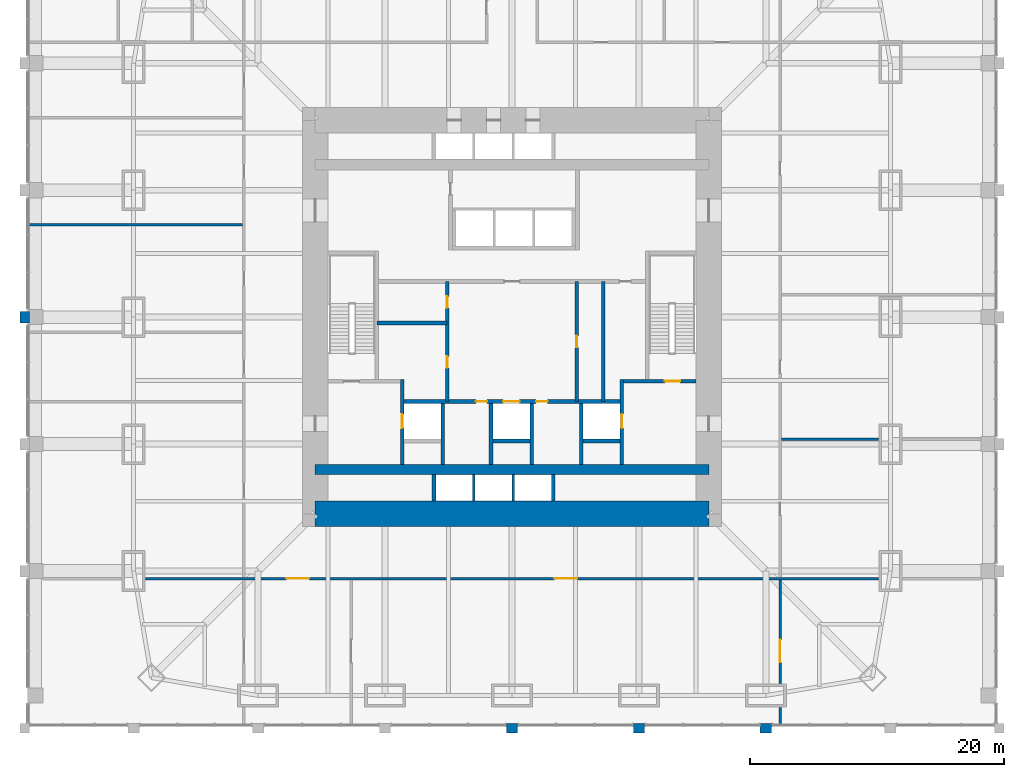
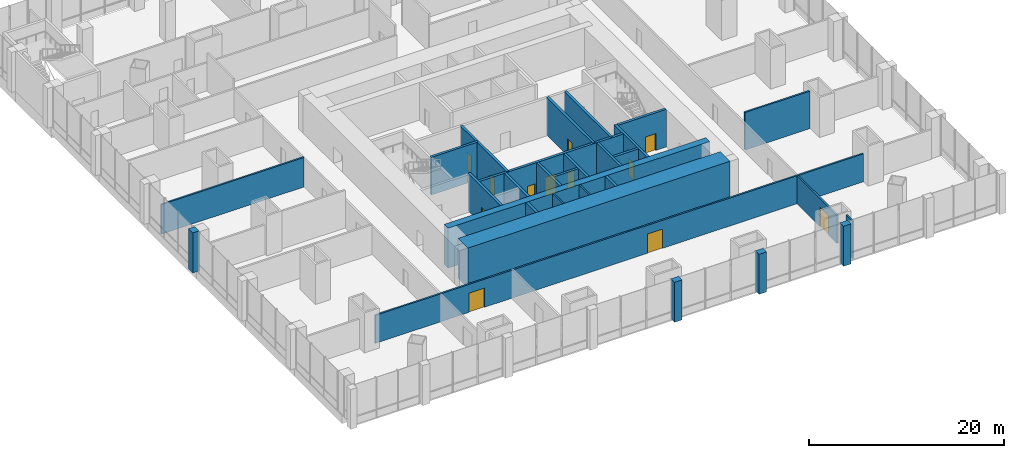
# One storey, part 17 of 24: 29 walls, 12 doors, 12 openings.
"""IFC4 building model written with IfcOpenShell, lengths in metres."""

from ifc_helpers import new_model, si_unit, direction, frame, frame_2d, origin, place, context, subcontext, project, spatial, rectangle, extrude, material, layer, layer_set, type_object, element, fill, save


model = new_model("IFC4")

# Units and contexts
model_context = context("Model", 3, precision=1e-05, world=origin(), true_north=direction((0.0, 1.0)))
body_context = subcontext(model_context, "Body", "Model", "MODEL_VIEW")
ifc_project = project(units=[si_unit("LENGTHUNIT", "METRE"), si_unit("AREAUNIT", "SQUARE_METRE"), si_unit("VOLUMEUNIT", "CUBIC_METRE"), si_unit("PLANEANGLEUNIT", "RADIAN"), si_unit("MASSUNIT", "GRAM", prefix="KILO")], contexts=[model_context])

# Site, building, storey
site_placement = place(None, origin())
site = spatial("IfcSite", under=ifc_project, at=site_placement, CompositionType="ELEMENT")
building_placement = place(site_placement, origin())
building = spatial("IfcBuilding", under=site, at=building_placement, Name="Khuree Lantern Residences", CompositionType="ELEMENT")
storey_placement = place(building_placement, frame((0.0, 0.0, 11.0)))
storey = spatial("IfcBuildingStorey", under=building, at=storey_placement, Name="L02", CompositionType="ELEMENT", Elevation=11.0)

# Wall, opening, door
ifc_material_1 = material(Name="Dense concrete blockwork", Category="masonry")
ifc_layer_1 = layer(ifc_material_1, 0.300048828125)
ifc_layer_set_1 = layer_set([ifc_layer_1], Name="CORE PARTITION WALL CPW300 EI 120")
wall_type_1 = type_object("IfcWallType", Name="CORE PARTITION WALL CPW300 EI 120", PredefinedType="PARTITIONING", material=ifc_layer_set_1)
wall_1_placement = place(storey_placement, frame((-8.64990234375, -11.60009765625, 0.0), z_axis=(0.0, 0.0, 1.0), x_axis=(0.0, 1.0, 0.0)))
wall_1 = element("IfcWall", 1, at=wall_1_placement, inside=storey, type_object=wall_type_1, Name="L02 CORE WALL FL1W", PredefinedType="PARTITIONING", context=body_context, shape_type="SweptSolid", body=[
    extrude(rectangle(XDim=6.7001953125, YDim=0.300048828125, at=frame_2d((3.35009765625, 0.0))), origin(), (0.0, 0.0, 1.0), 4.699951171875),
])
opening_1_placement = place(wall_1_placement, frame((2.85009765625, 0.0, 0.0)))
opening_1 = element("IfcOpeningElement", 2, at=opening_1_placement, cuts=wall_1, Name="Opening 02-007", PredefinedType="OPENING", context=body_context, shape_type="SweptSolid", body=[
    extrude(rectangle(XDim=1.10009765625, YDim=2.10009765625, at=frame_2d((0.550048828125, 1.050048828125))), frame((0.0, 0.16015625, 0.0), z_axis=(0.0, -1.0, 0.0), x_axis=(1.0, 0.0, 0.0)), (0.0, 0.0, 1.0), 0.320068359375),
])
ifc_material_2 = material(Name="Stainless steel lift landing door", Category="steel")
door_type_1 = type_object("IfcDoorType", Name="LIFT LANDING DOOR 1100X2100 E 120", OperationType="DOUBLE_DOOR_SLIDING", PredefinedType="DOOR", material=ifc_material_2)
door_1_placement = place(opening_1_placement, origin())
door_1 = element("IfcDoor", 3, at=door_1_placement, inside=storey, type_object=door_type_1, Name="Landing door FL1 02-007", OperationType="DOUBLE_DOOR_SLIDING", OverallHeight=2.10009765625, OverallWidth=1.10009765625, PredefinedType="DOOR", context=body_context, shape_type="SweptSolid", body=[
    extrude(rectangle(XDim=1.10009765625, YDim=2.10009765625, at=frame_2d((0.550048828125, 1.050048828125))), frame((0.0, 0.02490234375, 0.0), z_axis=(0.0, -1.0, 0.0), x_axis=(1.0, 0.0, 0.0)), (0.0, 0.0, 1.0), 0.050048828125),
])
fill(opening_1, door_1)

wall_2_placement = place(storey_placement, frame((8.64990234375, -11.60009765625, 0.0), z_axis=(0.0, 0.0, 1.0), x_axis=(0.0, 1.0, 0.0)))
wall_2 = element("IfcWall", 4, at=wall_2_placement, inside=storey, type_object=wall_type_1, Name="L02 CORE WALL FL2E", PredefinedType="PARTITIONING", context=body_context, shape_type="SweptSolid", body=[
    extrude(rectangle(XDim=6.7001953125, YDim=0.300048828125, at=frame_2d((3.35009765625, 0.0))), origin(), (0.0, 0.0, 1.0), 4.699951171875),
])
opening_2_placement = place(wall_2_placement, frame((2.85009765625, 0.0, 0.0)))
opening_2 = element("IfcOpeningElement", 5, at=opening_2_placement, cuts=wall_2, Name="Opening 02-008", PredefinedType="OPENING", context=body_context, shape_type="SweptSolid", body=[
    extrude(rectangle(XDim=1.10009765625, YDim=2.10009765625, at=frame_2d((0.550048828125, 1.050048828125))), frame((0.0, 0.16015625, 0.0), z_axis=(0.0, -1.0, 0.0), x_axis=(1.0, 0.0, 0.0)), (0.0, 0.0, 1.0), 0.320068359375),
])
door_2_placement = place(opening_2_placement, origin())
door_2 = element("IfcDoor", 6, at=door_2_placement, inside=storey, type_object=door_type_1, Name="Landing door FL2 02-008", OperationType="DOUBLE_DOOR_SLIDING", OverallHeight=2.10009765625, OverallWidth=1.10009765625, PredefinedType="DOOR", context=body_context, shape_type="SweptSolid", body=[
    extrude(rectangle(XDim=1.10009765625, YDim=2.10009765625, at=frame_2d((0.550048828125, 1.050048828125))), frame((0.0, 0.02490234375, 0.0), z_axis=(0.0, -1.0, 0.0), x_axis=(1.0, 0.0, 0.0)), (0.0, 0.0, 1.0), 0.050048828125),
])
fill(opening_2, door_2)

# Wall, openings, doors
wall_3_placement = place(storey_placement, frame((-8.5, -6.64990234375, 0.0), z_axis=(0.0, 0.0, 1.0), x_axis=(1.0, 0.0, 0.0)))
wall_3 = element("IfcWall", 7, at=wall_3_placement, inside=storey, type_object=wall_type_1, Name="L02 CORE WALL FLROW", PredefinedType="PARTITIONING", context=body_context, shape_type="SweptSolid", body=[
    extrude(rectangle(XDim=17.0, YDim=0.300048828125, at=frame_2d((8.5, 0.0))), origin(), (0.0, 0.0, 1.0), 4.699951171875),
])
opening_3_placement = place(wall_3_placement, frame((7.800048828125, 0.0, 0.0)))
opening_3 = element("IfcOpeningElement", 8, at=opening_3_placement, cuts=wall_3, Name="Opening 02-012", PredefinedType="OPENING", context=body_context, shape_type="SweptSolid", body=[
    extrude(rectangle(XDim=1.300048828125, YDim=2.39990234375, at=frame_2d((0.64990234375, 1.199951171875))), frame((0.0, 0.16015625, 0.0), z_axis=(0.0, -1.0, 0.0), x_axis=(1.0, 0.0, 0.0)), (0.0, 0.0, 1.0), 0.320068359375),
])
opening_4_placement = place(wall_3_placement, frame((5.64990234375, 0.0, 0.0)))
opening_4 = element("IfcOpeningElement", 9, at=opening_4_placement, cuts=wall_3, Name="Opening 02-014", PredefinedType="OPENING", context=body_context, shape_type="SweptSolid", body=[
    extrude(rectangle(XDim=0.89990234375, YDim=2.10009765625, at=frame_2d((0.449951171875, 1.050048828125))), frame((0.0, 0.16015625, 0.0), z_axis=(0.0, -1.0, 0.0), x_axis=(1.0, 0.0, 0.0)), (0.0, 0.0, 1.0), 0.320068359375),
])
opening_5_placement = place(wall_3_placement, frame((10.39990234375, 0.0, 0.0)))
opening_5 = element("IfcOpeningElement", 10, at=opening_5_placement, cuts=wall_3, Name="Opening 02-015", PredefinedType="OPENING", context=body_context, shape_type="SweptSolid", body=[
    extrude(rectangle(XDim=0.89990234375, YDim=2.10009765625, at=frame_2d((0.449951171875, 1.050048828125))), frame((0.0, 0.16015625, 0.0), z_axis=(0.0, -1.0, 0.0), x_axis=(1.0, 0.0, 0.0)), (0.0, 0.0, 1.0), 0.320068359375),
])
ifc_material_3 = material(Name="Steel door leaf in steel frame", Category="steel")
door_type_2 = type_object("IfcDoorType", Name="DOOR 900X2100 EI 60", OperationType="SINGLE_SWING_LEFT", PredefinedType="DOOR", material=ifc_material_3)
door_3_placement = place(opening_4_placement, origin())
door_3 = element("IfcDoor", 11, at=door_3_placement, inside=storey, type_object=door_type_2, Name="Electrical riser door 02-014", OperationType="SINGLE_SWING_LEFT", OverallHeight=2.10009765625, OverallWidth=0.89990234375, PredefinedType="DOOR", context=body_context, shape_type="SweptSolid", body=[
    extrude(rectangle(XDim=0.89990234375, YDim=2.10009765625, at=frame_2d((0.449951171875, 1.050048828125))), frame((0.0, 0.02490234375, 0.0), z_axis=(0.0, -1.0, 0.0), x_axis=(1.0, 0.0, 0.0)), (0.0, 0.0, 1.0), 0.050048828125),
])
fill(opening_4, door_3)
door_type_3 = type_object("IfcDoorType", Name="DOOR 900X2100 EI 60 RIGHT HAND", OperationType="SINGLE_SWING_RIGHT", PredefinedType="DOOR", material=ifc_material_3)
door_4_placement = place(opening_5_placement, origin())
door_4 = element("IfcDoor", 12, at=door_4_placement, inside=storey, type_object=door_type_3, Name="Plumbing riser door 02-015", OperationType="SINGLE_SWING_RIGHT", OverallHeight=2.10009765625, OverallWidth=0.89990234375, PredefinedType="DOOR", context=body_context, shape_type="SweptSolid", body=[
    extrude(rectangle(XDim=0.89990234375, YDim=2.10009765625, at=frame_2d((0.449951171875, 1.050048828125))), frame((0.0, 0.02490234375, 0.0), z_axis=(0.0, -1.0, 0.0), x_axis=(1.0, 0.0, 0.0)), (0.0, 0.0, 1.0), 0.050048828125),
])
fill(opening_5, door_4)
door_type_4 = type_object("IfcDoorType", Name="LIFT LANDING DOOR 1300X2400 E 60", OperationType="DOUBLE_DOOR_SLIDING", PredefinedType="DOOR", material=ifc_material_2)
door_5_placement = place(opening_3_placement, origin())
door_5 = element("IfcDoor", 13, at=door_5_placement, inside=storey, type_object=door_type_4, Name="Landing door SL1 02-012", OperationType="DOUBLE_DOOR_SLIDING", OverallHeight=2.39990234375, OverallWidth=1.300048828125, PredefinedType="DOOR", context=body_context, shape_type="SweptSolid", body=[
    extrude(rectangle(XDim=1.300048828125, YDim=2.39990234375, at=frame_2d((0.64990234375, 1.199951171875))), frame((0.0, 0.02490234375, 0.0), z_axis=(0.0, -1.0, 0.0), x_axis=(1.0, 0.0, 0.0)), (0.0, 0.0, 1.0), 0.050048828125),
])
fill(opening_3, door_5)

# Walls
for number, where, z_axis, x_axis, name in (
    (14, (-5.449951171875, -11.60009765625, 0.0), (0.0, 0.0, 1.0), (0.0, 1.0, 0.0), "L02 CORE WALL FL1E"),
    (15, (-1.64990234375, -11.60009765625, 0.0), (0.0, 0.0, 1.0), (0.0, 1.0, 0.0), "L02 CORE WALL SL1W"),
    (16, (1.550048828125, -11.60009765625, 0.0), (0.0, 0.0, 1.0), (0.0, 1.0, 0.0), "L02 CORE WALL SL1E"),
    (17, (5.449951171875, -11.60009765625, 0.0), (0.0, 0.0, 1.0), (0.0, 1.0, 0.0), "L02 CORE WALL FL2W"),
):
    element("IfcWall", number, at=place(storey_placement, frame(where, z_axis=z_axis, x_axis=x_axis)), inside=storey, type_object=wall_type_1, Name=name, PredefinedType="PARTITIONING", context=body_context, shape_type="SweptSolid", body=[
        extrude(rectangle(XDim=4.800048828125, YDim=0.300048828125, at=frame_2d((2.39990234375, 0.0))), origin(), (0.0, 0.0, 1.0), 4.699951171875),
    ])
for number, where, z_axis, x_axis, name in (
    (18, (-1.5, -9.75, 0.0), (0.0, 0.0, 1.0), (1.0, 0.0, 0.0), "L02 CORE WALL SL1S"),
    (19, (5.60009765625, -9.75, 0.0), (0.0, 0.0, 1.0), (1.0, 0.0, 0.0), "L02 CORE WALL FL2S"),
):
    element("IfcWall", number, at=place(storey_placement, frame(where, z_axis=z_axis, x_axis=x_axis)), inside=storey, type_object=wall_type_1, Name=name, PredefinedType="PARTITIONING", context=body_context, shape_type="SweptSolid", body=[
        extrude(rectangle(XDim=2.89990234375, YDim=0.300048828125, at=frame_2d((1.449951171875, 0.0))), origin(), (0.0, 0.0, 1.0), 4.699951171875),
    ])
for number, where, z_axis, x_axis, name in (
    (20, (-6.14990234375, -14.5, 0.0), (0.0, 0.0, 1.0), (0.0, 1.0, 0.0), "L02 CORE WALL PMW"),
    (21, (3.25, -14.5, 0.0), (0.0, 0.0, 1.0), (0.0, 1.0, 0.0), "L02 CORE WALL PME"),
):
    element("IfcWall", number, at=place(storey_placement, frame(where, z_axis=z_axis, x_axis=x_axis)), inside=storey, type_object=wall_type_1, Name=name, PredefinedType="PARTITIONING", context=body_context, shape_type="SweptSolid", body=[
        extrude(rectangle(XDim=2.10009765625, YDim=0.300048828125, at=frame_2d((1.050048828125, 0.0))), origin(), (0.0, 0.0, 1.0), 4.699951171875),
    ])

# Wall, openings, doors
wall_4_placement = place(storey_placement, frame((-5.10009765625, -6.64990234375, 0.0), z_axis=(0.0, 0.0, 1.0), x_axis=(0.0, 1.0, 0.0)))
wall_4 = element("IfcWall", 22, at=wall_4_placement, inside=storey, type_object=wall_type_1, Name="L02 CORE WALL SVW", PredefinedType="PARTITIONING", context=body_context, shape_type="SweptSolid", body=[
    extrude(rectangle(XDim=9.449951171875, YDim=0.300048828125, at=frame_2d((4.72509765625, 0.0))), origin(), (0.0, 0.0, 1.0), 4.699951171875),
])
opening_6_placement = place(wall_4_placement, frame((2.64794921875, 0.0, 0.0)))
opening_6 = element("IfcOpeningElement", 23, at=opening_6_placement, cuts=wall_4, Name="Opening 02-016", PredefinedType="OPENING", context=body_context, shape_type="SweptSolid", body=[
    extrude(rectangle(XDim=0.89990234375, YDim=2.10009765625, at=frame_2d((0.449951171875, 1.050048828125))), frame((0.0, 0.16015625, 0.0), z_axis=(0.0, -1.0, 0.0), x_axis=(1.0, 0.0, 0.0)), (0.0, 0.0, 1.0), 0.320068359375),
])
opening_7_placement = place(wall_4_placement, frame((7.373046875, 0.0, 0.0)))
opening_7 = element("IfcOpeningElement", 24, at=opening_7_placement, cuts=wall_4, Name="Opening 02-017", PredefinedType="OPENING", context=body_context, shape_type="SweptSolid", body=[
    extrude(rectangle(XDim=0.89990234375, YDim=2.10009765625, at=frame_2d((0.449951171875, 1.050048828125))), frame((0.0, 0.16015625, 0.0), z_axis=(0.0, -1.0, 0.0), x_axis=(1.0, 0.0, 0.0)), (0.0, 0.0, 1.0), 0.320068359375),
])
ifc_material_4 = material(Name="Timber door leaf in hardwood frame", Category="wood")
door_type_5 = type_object("IfcDoorType", Name="DOOR 900X2100", OperationType="SINGLE_SWING_LEFT", PredefinedType="DOOR", material=ifc_material_4)
door_6_placement = place(opening_6_placement, origin())
door_6 = element("IfcDoor", 25, at=door_6_placement, inside=storey, type_object=door_type_5, Name="Store door 02-016", OperationType="SINGLE_SWING_LEFT", OverallHeight=2.10009765625, OverallWidth=0.89990234375, PredefinedType="DOOR", context=body_context, shape_type="SweptSolid", body=[
    extrude(rectangle(XDim=0.89990234375, YDim=2.10009765625, at=frame_2d((0.449951171875, 1.050048828125))), frame((0.0, 0.02490234375, 0.0), z_axis=(0.0, -1.0, 0.0), x_axis=(1.0, 0.0, 0.0)), (0.0, 0.0, 1.0), 0.050048828125),
])
fill(opening_6, door_6)
door_7_placement = place(opening_7_placement, origin())
door_7 = element("IfcDoor", 26, at=door_7_placement, inside=storey, type_object=door_type_5, Name="Spares store door 02-017", OperationType="SINGLE_SWING_LEFT", OverallHeight=2.10009765625, OverallWidth=0.89990234375, PredefinedType="DOOR", context=body_context, shape_type="SweptSolid", body=[
    extrude(rectangle(XDim=0.89990234375, YDim=2.10009765625, at=frame_2d((0.449951171875, 1.050048828125))), frame((0.0, 0.02490234375, 0.0), z_axis=(0.0, -1.0, 0.0), x_axis=(1.0, 0.0, 0.0)), (0.0, 0.0, 1.0), 0.050048828125),
])
fill(opening_7, door_7)

# Wall, opening, door
wall_5_placement = place(storey_placement, frame((5.10009765625, -6.64990234375, 0.0), z_axis=(0.0, 0.0, 1.0), x_axis=(0.0, 1.0, 0.0)))
wall_5 = element("IfcWall", 27, at=wall_5_placement, inside=storey, type_object=wall_type_1, Name="L02 CORE WALL SVE", PredefinedType="PARTITIONING", context=body_context, shape_type="SweptSolid", body=[
    extrude(rectangle(XDim=9.449951171875, YDim=0.300048828125, at=frame_2d((4.72509765625, 0.0))), origin(), (0.0, 0.0, 1.0), 4.699951171875),
])
opening_8_placement = place(wall_5_placement, frame((4.27490234375, 0.0, 0.0)))
opening_8 = element("IfcOpeningElement", 28, at=opening_8_placement, cuts=wall_5, Name="Opening 02-018", PredefinedType="OPENING", context=body_context, shape_type="SweptSolid", body=[
    extrude(rectangle(XDim=0.89990234375, YDim=2.10009765625, at=frame_2d((0.449951171875, 1.050048828125))), frame((0.0, 0.16015625, 0.0), z_axis=(0.0, -1.0, 0.0), x_axis=(1.0, 0.0, 0.0)), (0.0, 0.0, 1.0), 0.320068359375),
])
door_8_placement = place(opening_8_placement, origin())
door_8 = element("IfcDoor", 29, at=door_8_placement, inside=storey, type_object=door_type_5, Name="Maintenance store door 02-018", OperationType="SINGLE_SWING_LEFT", OverallHeight=2.10009765625, OverallWidth=0.89990234375, PredefinedType="DOOR", context=body_context, shape_type="SweptSolid", body=[
    extrude(rectangle(XDim=0.89990234375, YDim=2.10009765625, at=frame_2d((0.449951171875, 1.050048828125))), frame((0.0, 0.02490234375, 0.0), z_axis=(0.0, -1.0, 0.0), x_axis=(1.0, 0.0, 0.0)), (0.0, 0.0, 1.0), 0.050048828125),
])
fill(opening_8, door_8)

# Walls
wall_6_placement = place(storey_placement, frame((-10.64990234375, -0.455078125, 0.0), z_axis=(0.0, 0.0, 1.0), x_axis=(1.0, 0.0, 0.0)))
element("IfcWall", 30, at=wall_6_placement, inside=storey, type_object=wall_type_1, Name="L02 CORE WALL WX", PredefinedType="PARTITIONING", context=body_context, shape_type="SweptSolid", body=[
    extrude(rectangle(XDim=5.5498046875, YDim=0.300048828125, at=frame_2d((2.77490234375, 0.0))), origin(), (0.0, 0.0, 1.0), 4.699951171875),
])
wall_7_placement = place(storey_placement, frame((7.193115234375, -6.64990234375, 0.0), z_axis=(0.0, 0.0, 1.0), x_axis=(0.0, 1.0, 0.0)))
element("IfcWall", 31, at=wall_7_placement, inside=storey, type_object=wall_type_1, Name="L02 CORE WALL EV", PredefinedType="PARTITIONING", context=body_context, shape_type="SweptSolid", body=[
    extrude(rectangle(XDim=9.449951171875, YDim=0.300048828125, at=frame_2d((4.72509765625, 0.0))), origin(), (0.0, 0.0, 1.0), 4.699951171875),
])
ifc_material_5 = material(Name="Concrete C70/85", Category="concrete")
ifc_layer_2 = layer(ifc_material_5, 2.0)
ifc_layer_set_2 = layer_set([ifc_layer_2], Name="CW2000-C70 CORE WALL C70 2000")
wall_type_2 = type_object("IfcWallType", Name="CW2000-C70 CORE WALL C70 2000", PredefinedType="SHEAR", material=ifc_layer_set_2)
wall_8_placement = place(storey_placement, frame((-15.5, -15.5, -0.300048828125), z_axis=(0.0, 0.0, 1.0), x_axis=(1.0, 0.0, 0.0)))
element("IfcWall", 32, at=wall_8_placement, inside=storey, type_object=wall_type_2, Name="Core wall S", PredefinedType="SHEAR", context=body_context, shape_type="SweptSolid", body=[
    extrude(rectangle(XDim=31.0, YDim=2.0, at=frame_2d((15.5, 0.0))), origin(), (0.0, 0.0, 1.0), 5.0),
])
ifc_material_6 = material(Name="Flamed granite cladding on blockwork", Category="masonry")
ifc_layer_3 = layer(ifc_material_6, 0.75)
ifc_layer_set_3 = layer_set([ifc_layer_3], Name="PODIUM PIER PR1 900X750")
wall_type_3 = type_object("IfcWallType", Name="PODIUM PIER PR1 900X750", PredefinedType="SOLIDWALL", material=ifc_layer_set_3)
for number, where, z_axis, x_axis, name in (
    (33, (-0.449951171875, -32.375, 0.0), (0.0, 0.0, 1.0), (1.0, 0.0, 0.0), "L02 SOUTH FACE PIER 4"),
    (34, (9.550048828125, -32.375, 0.0), (0.0, 0.0, 1.0), (1.0, 0.0, 0.0), "L02 SOUTH FACE PIER 5"),
    (35, (19.550048828125, -32.375, 0.0), (0.0, 0.0, 1.0), (1.0, 0.0, 0.0), "L02 SOUTH FACE PIER 6"),
    (36, (-38.375, 0.449951171875, 0.0), (0.0, 0.0, 1.0), (0.0, -1.0, 0.0), "L02 WEST FACE PIER 5"),
):
    element("IfcWall", number, at=place(storey_placement, frame(where, z_axis=z_axis, x_axis=x_axis)), inside=storey, type_object=wall_type_3, Name=name, PredefinedType="SOLIDWALL", context=body_context, shape_type="SweptSolid", body=[
        extrude(rectangle(XDim=0.89990234375, YDim=0.75, at=frame_2d((0.449951171875, 0.0))), origin(), (0.0, 0.0, 1.0), 5.0),
    ])
ifc_layer_4 = layer(ifc_material_1, 0.199951171875)
ifc_layer_set_4 = layer_set([ifc_layer_4], Name="ROOM WALL RMW200")
wall_type_4 = type_object("IfcWallType", Name="ROOM WALL RMW200", PredefinedType="SOLIDWALL", material=ifc_layer_set_4)
wall_9_placement = place(storey_placement, frame((21.111083984375, -32.074951171875, 0.0), z_axis=(0.0, 0.0, 1.0), x_axis=(0.0, 1.0, 0.0)))
element("IfcWall", 37, at=wall_9_placement, inside=storey, type_object=wall_type_4, Name="L02 ROOM WALL 3", PredefinedType="SOLIDWALL", context=body_context, shape_type="SweptSolid", body=[
    extrude(rectangle(XDim=1.344970703125, YDim=0.199951171875, at=frame_2d((0.67236328125, 0.0))), origin(), (0.0, 0.0, 1.0), 4.699951171875),
])

# Wall, opening, door
wall_10_placement = place(storey_placement, frame((21.111083984375, -28.869873046875, 0.0), z_axis=(0.0, 0.0, 1.0), x_axis=(0.0, 1.0, 0.0)))
wall_10 = element("IfcWall", 38, at=wall_10_placement, inside=storey, type_object=wall_type_4, Name="L02 ROOM WALL 5", PredefinedType="SOLIDWALL", context=body_context, shape_type="SweptSolid", body=[
    extrude(rectangle(XDim=8.178955078125, YDim=0.199951171875, at=frame_2d((4.08935546875, 0.0))), origin(), (0.0, 0.0, 1.0), 3.5),
])
opening_9_placement = place(wall_10_placement, frame((1.67431640625, 0.0, 0.0)))
opening_9 = element("IfcOpeningElement", 39, at=opening_9_placement, cuts=wall_10, Name="Opening 02-027", PredefinedType="OPENING", context=body_context, shape_type="SweptSolid", body=[
    extrude(rectangle(XDim=1.800048828125, YDim=2.39990234375, at=frame_2d((0.89990234375, 1.199951171875))), frame((0.0, 0.10986328125, 0.0), z_axis=(0.0, -1.0, 0.0), x_axis=(1.0, 0.0, 0.0)), (0.0, 0.0, 1.0), 0.219970703125),
])
door_type_6 = type_object("IfcDoorType", Name="DOUBLE DOOR 1800X2400", OperationType="DOUBLE_DOOR_SINGLE_SWING", PredefinedType="DOOR", material=ifc_material_4)
door_9_placement = place(opening_9_placement, origin())
door_9 = element("IfcDoor", 40, at=door_9_placement, inside=storey, type_object=door_type_6, Name="Banquet kitchen door 02-027", OperationType="DOUBLE_DOOR_SINGLE_SWING", OverallHeight=2.39990234375, OverallWidth=1.800048828125, PredefinedType="DOOR", context=body_context, shape_type="SweptSolid", body=[
    extrude(rectangle(XDim=1.800048828125, YDim=2.39990234375, at=frame_2d((0.89990234375, 1.199951171875))), frame((0.0, 0.02490234375, 0.0), z_axis=(0.0, -1.0, 0.0), x_axis=(1.0, 0.0, 0.0)), (0.0, 0.0, 1.0), 0.050048828125),
])
fill(opening_9, door_9)

# Wall, openings, doors
wall_11_placement = place(storey_placement, frame((-28.869873046875, -20.591064453125, 0.0), z_axis=(0.0, 0.0, 1.0), x_axis=(1.0, 0.0, 0.0)))
wall_11 = element("IfcWall", 41, at=wall_11_placement, inside=storey, type_object=wall_type_4, Name="L02 ROOM WALL 7", PredefinedType="SOLIDWALL", context=body_context, shape_type="SweptSolid", body=[
    extrude(rectangle(XDim=57.73974609375, YDim=0.199951171875, at=frame_2d((28.869873046875, 0.0))), origin(), (0.0, 0.0, 1.0), 3.5),
])
opening_10_placement = place(wall_11_placement, frame((11.0908203125, 0.0, 0.0)))
opening_10 = element("IfcOpeningElement", 42, at=opening_10_placement, cuts=wall_11, Name="Opening 02-024", PredefinedType="OPENING", context=body_context, shape_type="SweptSolid", body=[
    extrude(rectangle(XDim=1.800048828125, YDim=2.39990234375, at=frame_2d((0.89990234375, 1.199951171875))), frame((0.0, 0.10986328125, 0.0), z_axis=(0.0, -1.0, 0.0), x_axis=(1.0, 0.0, 0.0)), (0.0, 0.0, 1.0), 0.219970703125),
])
opening_11_placement = place(wall_11_placement, frame((32.201904296875, 0.0, 0.0)))
opening_11 = element("IfcOpeningElement", 43, at=opening_11_placement, cuts=wall_11, Name="Opening 02-025", PredefinedType="OPENING", context=body_context, shape_type="SweptSolid", body=[
    extrude(rectangle(XDim=1.800048828125, YDim=2.39990234375, at=frame_2d((0.89990234375, 1.199951171875))), frame((0.0, 0.10986328125, 0.0), z_axis=(0.0, -1.0, 0.0), x_axis=(1.0, 0.0, 0.0)), (0.0, 0.0, 1.0), 0.219970703125),
])
door_10_placement = place(opening_10_placement, origin())
door_10 = element("IfcDoor", 44, at=door_10_placement, inside=storey, type_object=door_type_6, Name="Pre-function foyer door 02-024", OperationType="DOUBLE_DOOR_SINGLE_SWING", OverallHeight=2.39990234375, OverallWidth=1.800048828125, PredefinedType="DOOR", context=body_context, shape_type="SweptSolid", body=[
    extrude(rectangle(XDim=1.800048828125, YDim=2.39990234375, at=frame_2d((0.89990234375, 1.199951171875))), frame((0.0, 0.02490234375, 0.0), z_axis=(0.0, -1.0, 0.0), x_axis=(1.0, 0.0, 0.0)), (0.0, 0.0, 1.0), 0.050048828125),
])
fill(opening_10, door_10)
door_11_placement = place(opening_11_placement, origin())
door_11 = element("IfcDoor", 45, at=door_11_placement, inside=storey, type_object=door_type_6, Name="Banquet hall door 02-025", OperationType="DOUBLE_DOOR_SINGLE_SWING", OverallHeight=2.39990234375, OverallWidth=1.800048828125, PredefinedType="DOOR", context=body_context, shape_type="SweptSolid", body=[
    extrude(rectangle(XDim=1.800048828125, YDim=2.39990234375, at=frame_2d((0.89990234375, 1.199951171875))), frame((0.0, 0.02490234375, 0.0), z_axis=(0.0, -1.0, 0.0), x_axis=(1.0, 0.0, 0.0)), (0.0, 0.0, 1.0), 0.050048828125),
])
fill(opening_11, door_11)

# Walls
wall_12_placement = place(storey_placement, frame((21.2109375, -9.631103515625, 0.0), z_axis=(0.0, 0.0, 1.0), x_axis=(1.0, 0.0, 0.0)))
element("IfcWall", 46, at=wall_12_placement, inside=storey, type_object=wall_type_4, Name="L02 ROOM WALL 11", PredefinedType="SOLIDWALL", context=body_context, shape_type="SweptSolid", body=[
    extrude(rectangle(XDim=7.658935546875, YDim=0.199951171875, at=frame_2d((3.82958984375, 0.0))), origin(), (0.0, 0.0, 1.0), 4.699951171875),
])
wall_13_placement = place(storey_placement, frame((-38.074951171875, 7.257080078125, 0.0), z_axis=(0.0, 0.0, 1.0), x_axis=(1.0, 0.0, 0.0)))
element("IfcWall", 47, at=wall_13_placement, inside=storey, type_object=wall_type_4, Name="L02 ROOM WALL 17", PredefinedType="SOLIDWALL", context=body_context, shape_type="SweptSolid", body=[
    extrude(rectangle(XDim=16.864013671875, YDim=0.199951171875, at=frame_2d((8.43212890625, 0.0))), origin(), (0.0, 0.0, 1.0), 3.699951171875),
])
ifc_layer_5 = layer(ifc_material_1, 0.199951171875)
ifc_layer_set_5 = layer_set([ifc_layer_5], Name="SHAFT WALL SHW200 EI 120")
wall_type_5 = type_object("IfcWallType", Name="SHAFT WALL SHW200 EI 120", PredefinedType="PARTITIONING", material=ifc_layer_set_5)
for number, where, z_axis, x_axis, name in (
    (48, (-3.0, -14.5, 0.0), (0.0, 0.0, 1.0), (0.0, 1.0, 0.0), "L02 CORE WALL PMD1"),
    (49, (0.10009765625, -14.5, 0.0), (0.0, 0.0, 1.0), (0.0, 1.0, 0.0), "L02 CORE WALL PMD2"),
):
    element("IfcWall", number, at=place(storey_placement, frame(where, z_axis=z_axis, x_axis=x_axis)), inside=storey, type_object=wall_type_5, Name=name, PredefinedType="PARTITIONING", context=body_context, shape_type="SweptSolid", body=[
        extrude(rectangle(XDim=2.10009765625, YDim=0.199951171875, at=frame_2d((1.050048828125, 0.0))), origin(), (0.0, 0.0, 1.0), 4.699951171875),
    ])
ifc_layer_6 = layer(ifc_material_5, 0.800048828125)
ifc_layer_set_6 = layer_set([ifc_layer_6], Name="SP800-C70 CORE SPINE WALL C70 800")
wall_type_6 = type_object("IfcWallType", Name="SP800-C70 CORE SPINE WALL C70 800", PredefinedType="SHEAR", material=ifc_layer_set_6)
wall_14_placement = place(storey_placement, frame((-15.5, -12.0, -0.300048828125), z_axis=(0.0, 0.0, 1.0), x_axis=(1.0, 0.0, 0.0)))
element("IfcWall", 50, at=wall_14_placement, inside=storey, type_object=wall_type_6, Name="Core wall SPS", PredefinedType="SHEAR", context=body_context, shape_type="SweptSolid", body=[
    extrude(rectangle(XDim=31.0, YDim=0.800048828125, at=frame_2d((15.5, 0.0))), origin(), (0.0, 0.0, 1.0), 5.0),
])

# Wall, opening, door
ifc_material_7 = material(Name="Concrete C50/60", Category="concrete")
ifc_layer_7 = layer(ifc_material_7, 0.300048828125)
ifc_layer_set_7 = layer_set([ifc_layer_7], Name="STAIR WALL SRW300 C50/60 REI 240")
wall_type_7 = type_object("IfcWallType", Name="STAIR WALL SRW300 C50/60 REI 240", PredefinedType="SOLIDWALL", material=ifc_layer_set_7)
wall_15_placement = place(storey_placement, frame((14.5, -5.050048828125, 0.0), z_axis=(0.0, 0.0, 1.0), x_axis=(-1.0, 0.0, 0.0)))
wall_15 = element("IfcWall", 51, at=wall_15_placement, inside=storey, type_object=wall_type_7, Name="L02 STAIR WALL ST2S", PredefinedType="SOLIDWALL", context=body_context, shape_type="SweptSolid", body=[
    extrude(rectangle(XDim=5.699951171875, YDim=0.300048828125, at=frame_2d((2.85009765625, 0.0))), origin(), (0.0, 0.0, 1.0), 4.699951171875),
])
opening_12_placement = place(wall_15_placement, frame((1.25, 0.0, 0.0)))
opening_12 = element("IfcOpeningElement", 52, at=opening_12_placement, cuts=wall_15, Name="Opening 02-004", PredefinedType="OPENING", context=body_context, shape_type="SweptSolid", body=[
    extrude(rectangle(XDim=1.199951171875, YDim=2.10009765625, at=frame_2d((0.60009765625, 1.050048828125))), frame((0.0, 0.16015625, 0.0), z_axis=(0.0, -1.0, 0.0), x_axis=(1.0, 0.0, 0.0)), (0.0, 0.0, 1.0), 0.320068359375),
])
door_type_7 = type_object("IfcDoorType", Name="STAIR DOOR 1200X2100 EI 120", OperationType="SINGLE_SWING_LEFT", PredefinedType="DOOR", material=ifc_material_3)
door_12_placement = place(opening_12_placement, origin())
door_12 = element("IfcDoor", 53, at=door_12_placement, inside=storey, type_object=door_type_7, Name="Stair ST2 door 02-004", OperationType="SINGLE_SWING_LEFT", OverallHeight=2.10009765625, OverallWidth=1.199951171875, PredefinedType="DOOR", context=body_context, shape_type="SweptSolid", body=[
    extrude(rectangle(XDim=1.199951171875, YDim=2.10009765625, at=frame_2d((0.60009765625, 1.050048828125))), frame((0.0, 0.02490234375, 0.0), z_axis=(0.0, -1.0, 0.0), x_axis=(1.0, 0.0, 0.0)), (0.0, 0.0, 1.0), 0.050048828125),
])
fill(opening_12, door_12)

save(model, "model.ifc")
